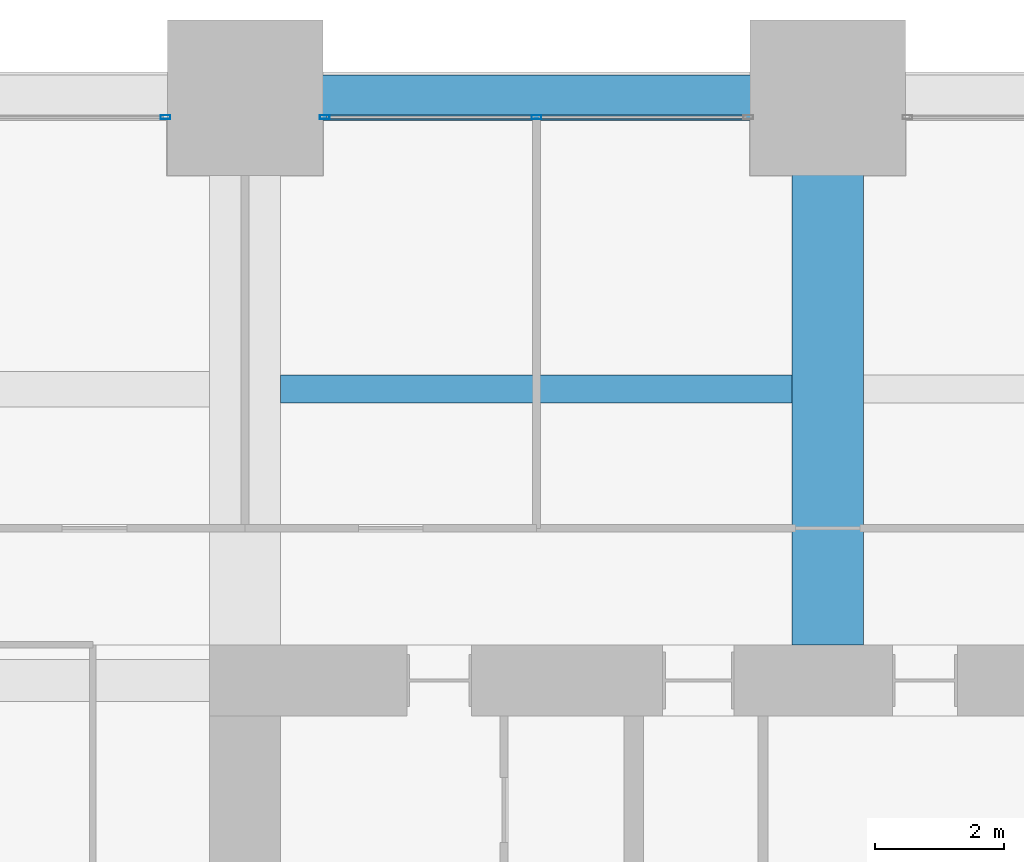
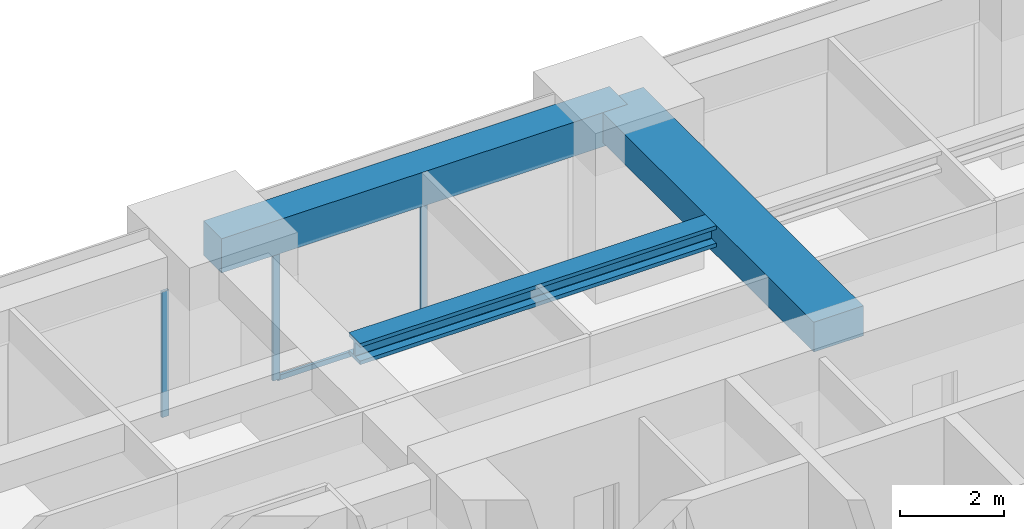
# One storey, part 28 of 41: 4 members, 3 beams, 2 elements without a shape of their own.
"""IFC4 building model written with IfcOpenShell, lengths in metres."""

from ifc_helpers import new_model, si_unit, direction, frame, origin, origin_2d, place, context, subcontext, project, spatial, rectangle, hollow_rectangle, i_section, extrude, material, material_profile, profile_set, type_object, element, aggregate, save


model = new_model("IFC4")

# Units and contexts
model_context = context("Model", 3, precision=1e-05, world=origin(), true_north=direction((0.0, 1.0)))
body_context = subcontext(model_context, "Body", "Model", "MODEL_VIEW")
ifc_project = project(units=[si_unit("LENGTHUNIT", "METRE"), si_unit("AREAUNIT", "SQUARE_METRE"), si_unit("VOLUMEUNIT", "CUBIC_METRE"), si_unit("PLANEANGLEUNIT", "RADIAN"), si_unit("MASSUNIT", "GRAM", prefix="KILO")], contexts=[model_context])

# Site, building, storey
site_placement = place(None, origin())
site = spatial("IfcSite", under=ifc_project, at=site_placement, CompositionType="ELEMENT")
building_placement = place(site_placement, origin())
building = spatial("IfcBuilding", under=site, at=building_placement, Name="Zorevar Civic Tower", CompositionType="ELEMENT")
storey_placement = place(building_placement, frame((0.0, 0.0, 109.0)))
storey = spatial("IfcBuildingStorey", under=building, at=storey_placement, Name="L26", CompositionType="ELEMENT", Elevation=109.0)

# Beam
ifc_material_1 = material(Name="Concrete C50/60", Category="concrete")
ifc_material_profile_1 = material_profile(ifc_material_1, rectangle(XDim=1.10009765625, YDim=0.699951171875, at=origin_2d()), Name="RC 1100x700")
ifc_profile_set_1 = profile_set([ifc_material_profile_1], Name="Concrete C50/60")
beam_type_1 = type_object("IfcBeamType", Name="Beam RC 1100x700", PredefinedType="BEAM", material=ifc_profile_set_1)
beam_1_placement = place(storey_placement, frame((27.0, 36.550048828125, 3.39990234375), z_axis=(0.0, 1.0, 0.0), x_axis=(-1.0, 0.0, 0.0)))
element("IfcBeam", 1, at=beam_1_placement, inside=storey, type_object=beam_type_1, Name="Girder L27", PredefinedType="BEAM", context=body_context, shape_type="SweptSolid", body=[
    extrude(rectangle(XDim=1.10009765625, YDim=0.699951171875, at=origin_2d()), origin(), (0.0, 0.0, 1.0), 8.449951171875),
])

# Curtain wall, member
ifc_material_2 = material(Name="Dark grey solar-control glass in black aluminium frame", Category="aluminium")
curtain_wall_type = type_object("IfcCurtainWallType", Name="Curtain wall CW3 mid zone", PredefinedType="NOTDEFINED", material=ifc_material_2)
curtain_wall_1_placement = place(storey_placement, origin())
curtain_wall_1 = element("IfcCurtainWall", 2, at=curtain_wall_1_placement, inside=storey, type_object=curtain_wall_type, Name="CW3 L26", PredefinedType="NOTDEFINED")
ifc_material_3 = material(Name="Aluminium, black anodised", Category="aluminium")
ifc_material_profile_2 = material_profile(ifc_material_3, hollow_rectangle(XDim=0.06005859375, YDim=0.14990234375, WallThickness=0.00390625, at=origin_2d()), Name="AL 150x60x4")
ifc_profile_set_2 = profile_set([ifc_material_profile_2], Name="Aluminium, black anodised")
member_type_1 = type_object("IfcMemberType", Name="CW3 mullion AL 150x60x4", PredefinedType="MULLION", material=ifc_profile_set_2)
member_1_placement = place(storey_placement, frame((16.77001953125, 44.699951171875, 0.0), z_axis=(0.0, 0.0, 1.0), x_axis=(0.0, 1.0, 0.0)))
member_1 = element("IfcMember", 3, at=member_1_placement, type_object=member_type_1, Name="CW3 mullion 3", PredefinedType="MULLION", context=body_context, shape_type="SweptSolid", body=[
    extrude(hollow_rectangle(XDim=0.06005859375, YDim=0.14990234375, WallThickness=0.00390625, at=origin_2d()), origin(), (0.0, 0.0, 1.0), 2.949951171875),
])
aggregate(curtain_wall_1, [member_1])

# Curtain wall, members
curtain_wall_2_placement = place(storey_placement, origin())
curtain_wall_2 = element("IfcCurtainWall", 4, at=curtain_wall_2_placement, inside=storey, type_object=curtain_wall_type, Name="CW3 L26", PredefinedType="NOTDEFINED")
member_2_placement = place(storey_placement, frame((19.22998046875, 44.699951171875, 0.0), z_axis=(0.0, 0.0, 1.0), x_axis=(0.0, 1.0, 0.0)))
member_2 = element("IfcMember", 5, at=member_2_placement, type_object=member_type_1, Name="CW3 mullion 1", PredefinedType="MULLION", context=body_context, shape_type="SweptSolid", body=[
    extrude(hollow_rectangle(XDim=0.06005859375, YDim=0.14990234375, WallThickness=0.00390625, at=origin_2d()), origin(), (0.0, 0.0, 1.0), 2.949951171875),
])
member_3_placement = place(storey_placement, frame((22.5, 44.699951171875, 0.06005859375), z_axis=(0.0, 0.0, 1.0), x_axis=(0.0, 1.0, 0.0)))
member_3 = element("IfcMember", 6, at=member_3_placement, type_object=member_type_1, Name="CW3 mullion 2", PredefinedType="MULLION", context=body_context, shape_type="SweptSolid", body=[
    extrude(hollow_rectangle(XDim=0.06005859375, YDim=0.14990234375, WallThickness=0.00390625, at=origin_2d()), origin(), (0.0, 0.0, 1.0), 2.889892578125),
])
ifc_material_4 = material(Name="Aluminium, black anodised", Category="aluminium")
ifc_material_profile_3 = material_profile(ifc_material_4, hollow_rectangle(XDim=0.06005859375, YDim=0.1201171875, WallThickness=0.0029296875, at=origin_2d()), Name="AL 120x60x3")
ifc_profile_set_3 = profile_set([ifc_material_profile_3], Name="Aluminium, black anodised")
member_type_2 = type_object("IfcMemberType", Name="CW3 transom AL 120x60x3", PredefinedType="USERDEFINED", material=ifc_profile_set_3)
member_4_placement = place(storey_placement, frame((19.260009765625, 44.699951171875, 0.030029296875), z_axis=(1.0, 0.0, 0.0), x_axis=(0.0, 1.0, 0.0)))
member_4 = element("IfcMember", 7, at=member_4_placement, type_object=member_type_2, Name="CW3 sill transom", ObjectType="TRANSOM", PredefinedType="USERDEFINED", context=body_context, shape_type="SweptSolid", body=[
    extrude(hollow_rectangle(XDim=0.06005859375, YDim=0.1201171875, WallThickness=0.0029296875, at=origin_2d()), origin(), (0.0, 0.0, 1.0), 6.47998046875),
])
aggregate(curtain_wall_2, [member_2, member_3, member_4])

# Beams
ifc_material_5 = material(Name="Steel S460M (HISTAR 460)", Category="steel")
ifc_material_profile_4 = material_profile(ifc_material_5, i_section(OverallWidth=0.431884765625, OverallDepth=0.498046875, WebThickness=0.0556640625, FlangeThickness=0.0888671875, FilletRadius=0.014892578125, at=origin_2d()), Name="HD 400x744")
ifc_profile_set_4 = profile_set([ifc_material_profile_4], Name="Steel S460M (HISTAR 460)")
beam_type_2 = type_object("IfcBeamType", Name="Core bay beam HD 400x744", PredefinedType="BEAM", material=ifc_profile_set_4)
beam_2_placement = place(storey_placement, frame((18.550048828125, 40.5, 3.5009765625), z_axis=(1.0, 0.0, 0.0), x_axis=(0.0, 1.0, 0.0)))
element("IfcBeam", 8, at=beam_2_placement, inside=storey, type_object=beam_type_2, Name="Secondary beam L27", PredefinedType="BEAM", context=body_context, shape_type="SweptSolid", body=[
    extrude(i_section(OverallWidth=0.431884765625, OverallDepth=0.498046875, WebThickness=0.0556640625, FlangeThickness=0.0888671875, FilletRadius=0.014892578125, at=origin_2d()), origin(), (0.0, 0.0, 1.0), 7.89990234375),
])
ifc_material_6 = material(Name="Concrete C50/60", Category="concrete")
ifc_material_profile_5 = material_profile(ifc_material_6, rectangle(XDim=0.699951171875, YDim=0.800048828125, at=origin_2d()), Name="RC 700x800")
ifc_profile_set_5 = profile_set([ifc_material_profile_5], Name="Concrete C50/60")
beam_type_3 = type_object("IfcBeamType", Name="Edge beam RC 700x800", PredefinedType="SPANDREL", material=ifc_profile_set_5)
beam_3_placement = place(storey_placement, frame((18.0, 45.0, 3.35009765625), z_axis=(1.0, 0.0, 0.0), x_axis=(0.0, 1.0, 0.0)))
element("IfcBeam", 9, at=beam_3_placement, inside=storey, type_object=beam_type_3, Name="Edge beam L27", PredefinedType="SPANDREL", context=body_context, shape_type="SweptSolid", body=[
    extrude(rectangle(XDim=0.699951171875, YDim=0.800048828125, at=origin_2d()), origin(), (0.0, 0.0, 1.0), 9.0),
])

save(model, "model.ifc")
